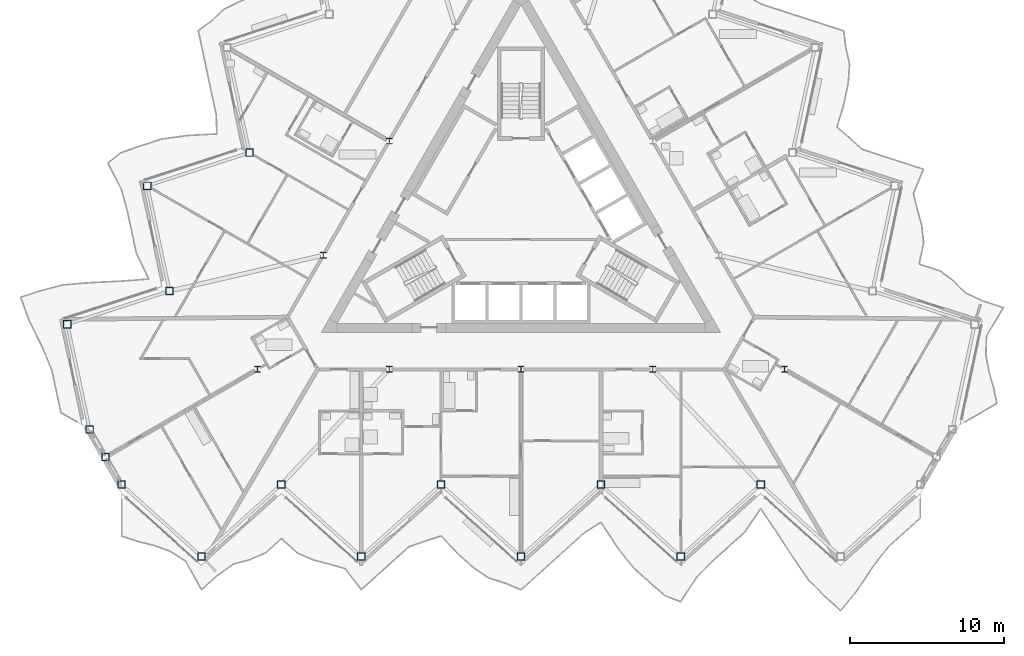
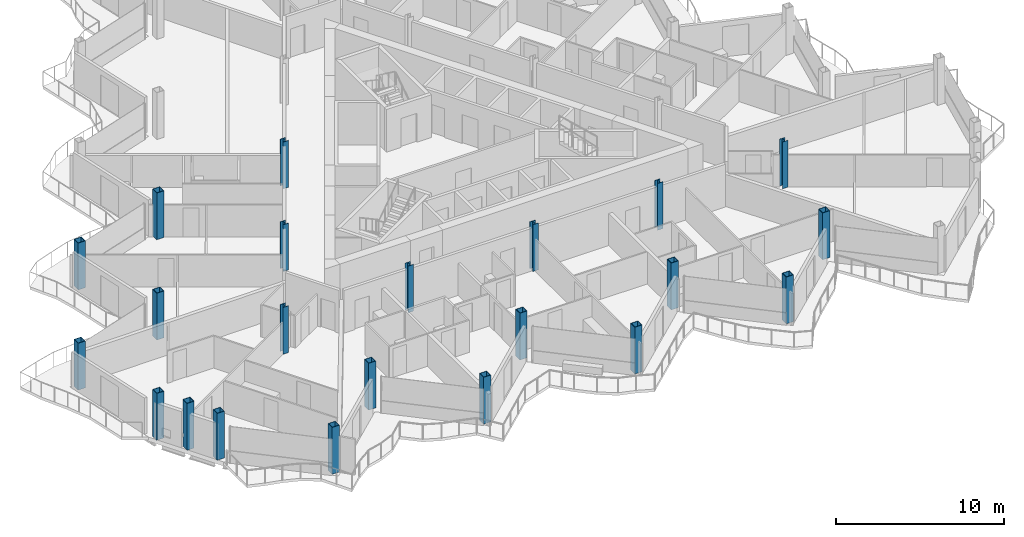
# One storey, part 1 of 26: 22 columns.
"""IFC4 building model written with IfcOpenShell, lengths in metres."""

from ifc_helpers import new_model, si_unit, direction, frame, origin, origin_2d, place, context, subcontext, project, spatial, hollow_rectangle, i_section, extrude, material, material_profile, profile_set, type_object, element, save


model = new_model("IFC4")

# Units and contexts
model_context = context("Model", 3, precision=1e-05, world=origin(), true_north=direction((0.0, 1.0)))
body_context = subcontext(model_context, "Body", "Model", "MODEL_VIEW")
ifc_project = project(units=[si_unit("LENGTHUNIT", "METRE"), si_unit("AREAUNIT", "SQUARE_METRE"), si_unit("VOLUMEUNIT", "CUBIC_METRE"), si_unit("PLANEANGLEUNIT", "RADIAN"), si_unit("MASSUNIT", "GRAM", prefix="KILO")], contexts=[model_context])

# Site, building, storey
site_placement = place(None, origin())
site = spatial("IfcSite", under=ifc_project, at=site_placement, CompositionType="ELEMENT")
building_placement = place(site_placement, origin())
building = spatial("IfcBuilding", under=site, at=building_placement, Name="Cormorant Prow Tower", CompositionType="ELEMENT")
storey_placement = place(building_placement, frame((0.0, 0.0, 378.0)))
storey = spatial("IfcBuildingStorey", under=building, at=storey_placement, Name="L85", CompositionType="ELEMENT", Elevation=378.0)

# Columns
ifc_material_1 = material(Name="Structural steel ASTM A572 Gr 50", Category="steel")
ifc_material_profile_1 = material_profile(ifc_material_1, hollow_rectangle(XDim=0.5, YDim=0.5, WallThickness=0.030029296875, at=origin_2d()), Name="Box 500x500x30")
ifc_profile_set_1 = profile_set([ifc_material_profile_1], Name="Structural steel ASTM A572 Gr 50")
column_type_1 = type_object("IfcColumnType", Name="Perimeter box column 500x500x30", PredefinedType="COLUMN", material=ifc_profile_set_1)
for number, where, z_axis, x_axis, name in (
    (1, (-26.0, -17.40576171875, 0.0), (0.0, 0.0, 1.0), (1.0, 0.0, 0.0), "Perimeter column C7 at S00 L85"),
    (2, (-20.800048828125, -22.087890625, 0.0), (0.0, 0.0, 1.0), (1.0, 0.0, 0.0), "Perimeter column C7 at S01 L85"),
    (3, (-15.60009765625, -17.40576171875, 0.0), (0.0, 0.0, 1.0), (1.0, 0.0, 0.0), "Perimeter column C7 at S02 L85"),
    (4, (-10.39990234375, -22.087890625, 0.0), (0.0, 0.0, 1.0), (1.0, 0.0, 0.0), "Perimeter column C7 at S03 L85"),
    (5, (-5.199951171875, -17.40576171875, 0.0), (0.0, 0.0, 1.0), (1.0, 0.0, 0.0), "Perimeter column C7 at S04 L85"),
    (6, (0.0, -22.087890625, 0.0), (0.0, 0.0, 1.0), (1.0, 0.0, 0.0), "Perimeter column C7 at S05 L85"),
    (7, (5.199951171875, -17.40576171875, 0.0), (0.0, 0.0, 1.0), (1.0, 0.0, 0.0), "Perimeter column C7 at S06 L85"),
    (8, (10.39990234375, -22.087890625, 0.0), (0.0, 0.0, 1.0), (1.0, 0.0, 0.0), "Perimeter column C7 at S07 L85"),
    (9, (15.60009765625, -17.40576171875, 0.0), (0.0, 0.0, 1.0), (1.0, 0.0, 0.0), "Perimeter column C7 at S08 L85"),
    (10, (-17.673828125, 4.199462890625, 0.0), (0.0, 0.0, 1.0), (1.0, 0.0, 0.0), "Perimeter column C7 at WNW06 L85"),
    (11, (-24.32861328125, 2.037353515625, 0.0), (0.0, 0.0, 1.0), (1.0, 0.0, 0.0), "Perimeter column C7 at WNW07 L85"),
    (12, (-22.873779296875, -4.80712890625, 0.0), (0.0, 0.0, 1.0), (1.0, 0.0, 0.0), "Perimeter column C7 at WNW08 L85"),
    (13, (-29.528564453125, -6.969482421875, 0.0), (0.0, 0.0, 1.0), (1.0, 0.0, 0.0), "Perimeter column C7 at WNW09 L85"),
    (14, (-28.07373046875, -13.813720703125, 0.0), (0.0, 0.0, 1.0), (1.0, 0.0, 0.0), "Perimeter column C7 at WSW00 L85"),
    (15, (-27.036865234375, -15.60986328125, 0.0), (0.0, 0.0, 1.0), (1.0, 0.0, 0.0), "Perimeter column C7 at WSW01 L85"),
):
    element("IfcColumn", number, at=place(storey_placement, frame(where, z_axis=z_axis, x_axis=x_axis)), inside=storey, type_object=column_type_1, Name=name, PredefinedType="COLUMN", context=body_context, shape_type="SweptSolid", body=[
        extrude(hollow_rectangle(XDim=0.5, YDim=0.5, WallThickness=0.030029296875, at=origin_2d()), origin(), (0.0, 0.0, 1.0), 3.39990234375),
    ])
ifc_material_2 = material(Name="Structural steel ASTM A992 Gr 50", Category="steel")
ifc_material_profile_2 = material_profile(ifc_material_2, i_section(OverallWidth=0.3740234375, OverallDepth=0.372314453125, WebThickness=0.016357421875, FlangeThickness=0.026123046875, at=origin_2d()), Name="W14x132")
ifc_profile_set_2 = profile_set([ifc_material_profile_2], Name="Structural steel ASTM A992 Gr 50")
column_type_2 = type_object("IfcColumnType", Name="Ring column W14x132", PredefinedType="COLUMN", material=ifc_profile_set_2)
for number, where, z_axis, x_axis, name in (
    (16, (-8.578369140625, 4.952880859375, 0.0), (0.0, 0.0, 1.0), (1.0, 0.0, 0.0), "Ring column 3 L85"),
    (17, (-12.86767578125, -2.476318359375, 0.0), (0.0, 0.0, 1.0), (1.0, 0.0, 0.0), "Ring column 4 L85"),
    (18, (-17.156982421875, -9.905517578125, 0.0), (0.0, 0.0, 1.0), (1.0, 0.0, 0.0), "Ring column 5 L85"),
    (19, (-8.578369140625, -9.905517578125, 0.0), (0.0, 0.0, 1.0), (1.0, 0.0, 0.0), "Ring column 6 L85"),
    (20, (0.0, -9.905517578125, 0.0), (0.0, 0.0, 1.0), (1.0, 0.0, 0.0), "Ring column 7 L85"),
    (21, (8.578369140625, -9.905517578125, 0.0), (0.0, 0.0, 1.0), (1.0, 0.0, 0.0), "Ring column 8 L85"),
    (22, (17.156982421875, -9.905517578125, 0.0), (0.0, 0.0, 1.0), (1.0, 0.0, 0.0), "Ring column 9 L85"),
):
    element("IfcColumn", number, at=place(storey_placement, frame(where, z_axis=z_axis, x_axis=x_axis)), inside=storey, type_object=column_type_2, Name=name, PredefinedType="COLUMN", context=body_context, shape_type="SweptSolid", body=[
        extrude(i_section(OverallWidth=0.3740234375, OverallDepth=0.372314453125, WebThickness=0.016357421875, FlangeThickness=0.026123046875, at=origin_2d()), origin(), (0.0, 0.0, 1.0), 3.39990234375),
    ])

save(model, "model.ifc")
